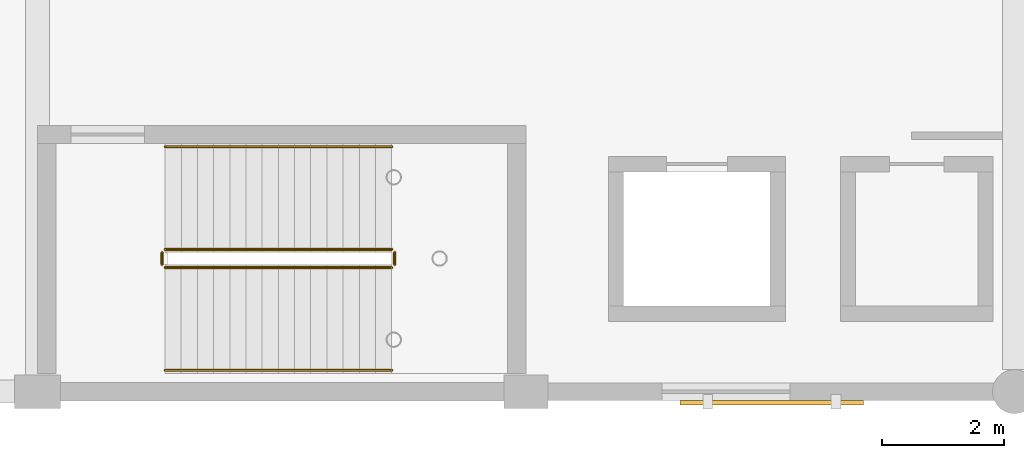
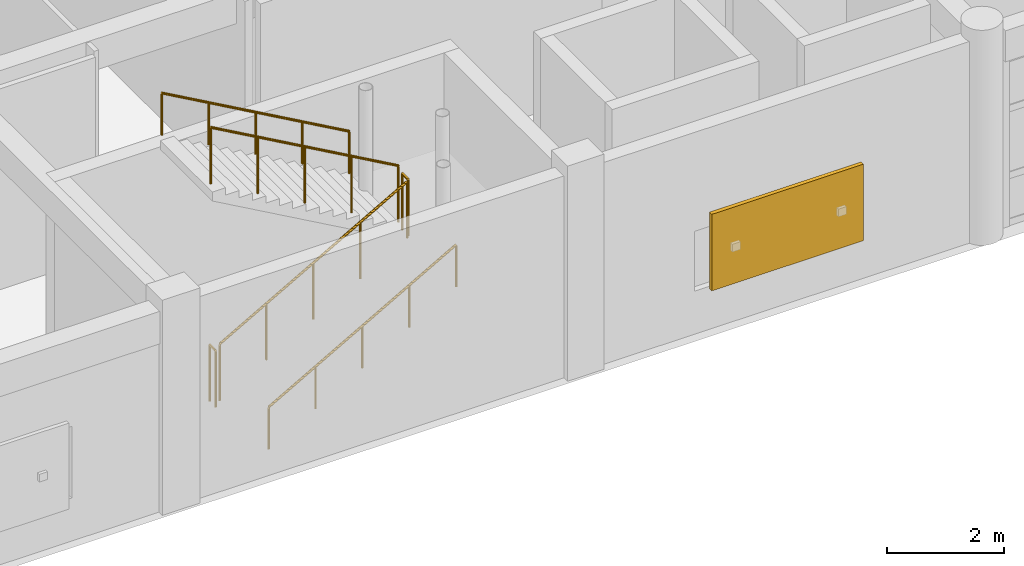
# One storey, part 156 of 160: 6 railings, 1 shading device.
"""IFC4 building model written with IfcOpenShell, lengths in metres."""

import ifcopenshell
import ifcopenshell.guid

model = None  # the IFC model being written
_history = None  # IfcOwnerHistory: only IFC2X3 demands one
_inside = {}  # id of a spatial element -> (the spatial element, [elements in it])
_under = {}  # id of a project, library or spatial element -> (it, [spatial elements below it])
_declared = {}  # id of a project -> (the project, [libraries it declares])
_typed = {}  # id of a type object -> (the type object, [elements of that type])
_made_of = {}  # id of a material, layer set ... -> (it, [elements and type objects made of it])


def new_model(schema):
    """Start an empty IFC model of exactly this schema.

    Asked for "IFC4X3", IfcOpenShell would pick the latest addendum, in which some entities
    have other attributes; the version numbers below select the first issue.
    IFC2X3 requires an IfcOwnerHistory on every rooted entity: one is made here for all.
    """
    global model, _history
    if schema == "IFC4X3":
        model = ifcopenshell.file(schema_version=(4, 3, 0, 0))
    else:
        model = ifcopenshell.file(schema=schema)
    _inside.clear()
    _under.clear()
    _declared.clear()
    _typed.clear()
    _made_of.clear()
    _history = None
    if model.schema == "IFC2X3":
        org = make("IfcOrganization", Name="unknown")
        user = make(
            "IfcPersonAndOrganization",
            ThePerson=make("IfcPerson", FamilyName="unknown"),
            TheOrganization=org,
        )
        app = make(
            "IfcApplication",
            ApplicationDeveloper=org,
            Version="unknown",
            ApplicationFullName="unknown",
            ApplicationIdentifier="unknown",
        )
        _history = make(
            "IfcOwnerHistory",
            OwningUser=user,
            OwningApplication=app,
            ChangeAction="ADDED",
            CreationDate=0,
        )
    return model


def make(cls, **values):
    """One entity of the class cls with the attributes given. An attribute that is None is left unset."""
    return model.create_entity(
        cls, **{name: value for name, value in values.items() if value is not None}
    )


def rooted(cls, **values):
    """An entity with a GlobalId (a new one), such as an element, a storey or a relation."""
    return make(cls, GlobalId=ifcopenshell.guid.new(), OwnerHistory=_history, **values)


def si_unit(unit_type, name, prefix=None):
    """IfcSIUnit, for example si_unit("LENGTHUNIT", "METRE", prefix="MILLI")."""
    return make("IfcSIUnit", UnitType=unit_type, Prefix=prefix, Name=name)


def assignment(units):
    """IfcUnitAssignment: the units of a project."""
    return None if units is None else make("IfcUnitAssignment", Units=units)


def point(xyz):
    """IfcCartesianPoint."""
    return None if xyz is None else make("IfcCartesianPoint", Coordinates=xyz)


def direction(xyz):
    """IfcDirection."""
    return None if xyz is None else make("IfcDirection", DirectionRatios=xyz)


def frame(location, z_axis=None, x_axis=None):
    """IfcAxis2Placement3D, a coordinate frame: its origin and axes. An axis left out is left unset."""
    return make(
        "IfcAxis2Placement3D",
        Location=point(location),
        Axis=direction(z_axis),
        RefDirection=direction(x_axis),
    )


def frame_2d(location, x_axis=None):
    """IfcAxis2Placement2D, a coordinate frame in the plane: its origin and x axis."""
    return make(
        "IfcAxis2Placement2D", Location=point(location), RefDirection=direction(x_axis)
    )


def origin():
    """The frame at (0, 0, 0) with its axes left unset."""
    return frame((0.0, 0.0, 0.0))


def origin_2d():
    """The frame at (0, 0) in the plane with its x axis left unset."""
    return frame_2d((0.0, 0.0))


def place(relative_to, where):
    """IfcLocalPlacement: puts the frame where relative to a parent placement (None: the world)."""
    return make(
        "IfcLocalPlacement", PlacementRelTo=relative_to, RelativePlacement=where
    )


def context(
    kind, dimensions, precision=None, world=None, true_north=None, identifier=None
):
    """IfcGeometricRepresentationContext, for example the 3D "Model" context."""
    return make(
        "IfcGeometricRepresentationContext",
        ContextIdentifier=identifier,
        ContextType=kind,
        CoordinateSpaceDimension=dimensions,
        Precision=precision,
        WorldCoordinateSystem=world,
        TrueNorth=true_north,
    )


def subcontext(parent, identifier, kind, view, scale=None):
    """IfcGeometricRepresentationSubContext, for example "Body" below "Model"."""
    return make(
        "IfcGeometricRepresentationSubContext",
        ContextIdentifier=identifier,
        ContextType=kind,
        ParentContext=parent,
        TargetScale=scale,
        TargetView=view,
    )


def project(units=None, contexts=None):
    """IfcProject with its units and contexts."""
    return rooted(
        "IfcProject",
        Name="project",
        RepresentationContexts=contexts,
        UnitsInContext=assignment(units),
    )


def spatial(cls, under=None, at=None, **own):
    """A site, building, storey or space (cls), placed at a placement, below another one or the project."""
    s = rooted(cls, ObjectPlacement=at, **own)
    if under is not None:
        _under.setdefault(under.id(), (under, []))[1].append(s)
    return s


def profile(cls, at=None, kind="AREA", **sizes):
    """A parametric profile (cls). Its sizes go by their IFC names, for example OverallWidth=200.0."""
    return make(cls, ProfileType=kind, Position=at, **sizes)


def rectangle(**sizes):
    """IfcRectangleProfileDef."""
    return profile("IfcRectangleProfileDef", **sizes)


def circle(**sizes):
    """IfcCircleProfileDef."""
    return profile("IfcCircleProfileDef", **sizes)


def extrude(swept, where, along, depth):
    """IfcExtrudedAreaSolid: the profile swept, set in the frame where, extruded along a direction by depth."""
    return make(
        "IfcExtrudedAreaSolid",
        SweptArea=swept,
        Position=where,
        ExtrudedDirection=direction(along),
        Depth=depth,
    )


def shape(context_of_items, identifier, shape_type, items):
    """IfcShapeRepresentation: the items that make up one representation, for example the "Body"."""
    return make(
        "IfcShapeRepresentation",
        ContextOfItems=context_of_items,
        RepresentationIdentifier=identifier,
        RepresentationType=shape_type,
        Items=items,
    )


def material(Name=None, Category=None):
    """IfcMaterial."""
    return make("IfcMaterial", Name=Name, Category=Category)


def made_of(thing, what):
    """Note that an element or type object is made of a material, layer set ...; save() writes the relation."""
    if what is not None:
        _made_of.setdefault(what.id(), (what, []))[1].append(thing)
    return thing


def type_object(cls, material=None, **own):
    """A type object (cls), such as IfcWallType, which elements share."""
    return made_of(rooted(cls, **own), material)


def element(
    cls,
    number,
    at=None,
    inside=None,
    cuts=None,
    type_object=None,
    material=None,
    context=None,
    identifier="Body",
    shape_type=None,
    held_by="IfcProductDefinitionShape",
    body=None,
    shapes=None,
    **own,
):
    """One element of the class cls, such as IfcWall. Its Tag is "e" and its number.

    at: its placement. inside: the storey or other place that contains it. cuts: it is an
    opening in that element (IfcRelVoidsElement). A single representation is given by context,
    identifier, shape_type and body (its items); several are given by shapes. held_by: the class
    of the entity that holds the representations. save() writes the other relations.
    """
    e = rooted(cls, Tag="e%d" % number, ObjectPlacement=at, **own)
    if body is not None:
        shapes = [shape(context, identifier, shape_type, body)]
    if shapes is not None:
        e.Representation = make(held_by, Representations=shapes)
    if inside is not None:
        _inside.setdefault(inside.id(), (inside, []))[1].append(e)
    if cuts is not None:
        rooted(
            "IfcRelVoidsElement", RelatingBuildingElement=cuts, RelatedOpeningElement=e
        )
    if type_object is not None:
        _typed.setdefault(type_object.id(), (type_object, []))[1].append(e)
    return made_of(e, material)


def aggregate(whole, parts):
    """IfcRelAggregates: a whole, such as a stair, and the parts it consists of."""
    return rooted("IfcRelAggregates", RelatingObject=whole, RelatedObjects=parts)


def save(model, path):
    """Write the relations noted so far, then the file.

    IfcRelAggregates (storeys below a building ...), IfcRelContainedInSpatialStructure (elements
    in a storey), IfcRelDefinesByType, IfcRelAssociatesMaterial and IfcRelDeclares: one each for
    every whole, place, type object, material and project.
    """
    for whole, parts in _under.values():
        aggregate(whole, parts)
    for where, things in _inside.values():
        rooted(
            "IfcRelContainedInSpatialStructure",
            RelatedElements=things,
            RelatingStructure=where,
        )
    for kind, things in _typed.values():
        rooted("IfcRelDefinesByType", RelatedObjects=things, RelatingType=kind)
    for what, things in _made_of.values():
        rooted("IfcRelAssociatesMaterial", RelatedObjects=things, RelatingMaterial=what)
    for by, libraries in _declared.values():
        rooted("IfcRelDeclares", RelatingContext=by, RelatedDefinitions=libraries)
    model.write(path)


model = new_model("IFC4")

# Units and contexts
model_context = context("Model", 3, precision=1e-05, world=origin(), true_north=direction((0.0, 1.0)))
body_context = subcontext(model_context, "Body", "Model", "MODEL_VIEW")
ifc_project = project(units=[si_unit("LENGTHUNIT", "METRE"), si_unit("AREAUNIT", "SQUARE_METRE"), si_unit("VOLUMEUNIT", "CUBIC_METRE"), si_unit("PLANEANGLEUNIT", "RADIAN"), si_unit("MASSUNIT", "GRAM", prefix="KILO")], contexts=[model_context])

# Site, building, storey
site_placement = place(None, origin())
site = spatial("IfcSite", under=ifc_project, at=site_placement, CompositionType="ELEMENT")
building_placement = place(site_placement, origin())
building = spatial("IfcBuilding", under=site, at=building_placement, Name="Kharva Crest Polytechnic", CompositionType="ELEMENT")
storey_placement = place(building_placement, frame((0.0, 0.0, 4.5)))
storey = spatial("IfcBuildingStorey", under=building, at=storey_placement, Name="L01", CompositionType="ELEMENT", Elevation=4.5)

# Railings
ifc_material_1 = material(Name="Anodised aluminium", Category="aluminium")
railing_type_1 = type_object("IfcRailingType", Name="RL-STAIR-GUARD-1200", PredefinedType="GUARDRAIL", material=ifc_material_1)
railing_1_placement = place(storey_placement, frame((130.889892578125, 2.030029296875, 0.14990234375)))
element("IfcRailing", 1, at=railing_1_placement, inside=storey, type_object=railing_type_1, Name="L01 ST-06 stair guard 1", PredefinedType="GUARDRAIL", context=body_context, shape_type="SweptSolid", body=[
    extrude(circle(Radius=0.02392578125, at=origin_2d()), frame((0.0, 0.0, 1.17578125), z_axis=(0.870258707807, 0.0, 0.492594946671), x_axis=(0.0, 1.0, 0.0)), (0.0, 0.0, 1.0), 4.263427734375),
    extrude(circle(Radius=0.02099609375, at=origin_2d()), origin(), (0.0, 0.0, 1.0), 1.15185546875),
    extrude(circle(Radius=0.02099609375, at=origin_2d()), frame((0.927490234375, 0.0, 0.52490234375)), (0.0, 0.0, 1.0), 1.15185546875),
    extrude(circle(Radius=0.02099609375, at=origin_2d()), frame((1.85498046875, 0.0, 1.050048828125)), (0.0, 0.0, 1.0), 1.15185546875),
    extrude(circle(Radius=0.02099609375, at=origin_2d()), frame((2.78271484375, 0.0, 1.5751953125)), (0.0, 0.0, 1.0), 1.15185546875),
    extrude(circle(Radius=0.02099609375, at=origin_2d()), frame((3.710205078125, 0.0, 2.10009765625)), (0.0, 0.0, 1.0), 1.15185546875),
])
railing_2_placement = place(storey_placement, frame((134.64990234375, 2.080078125, 2.25)))
element("IfcRailing", 2, at=railing_2_placement, inside=storey, type_object=railing_type_1, Name="L01 ST-06 stair guard 2", PredefinedType="GUARDRAIL", context=body_context, shape_type="SweptSolid", body=[
    extrude(circle(Radius=0.02392578125, at=origin_2d()), frame((0.0, 0.0, 1.17578125), z_axis=(0.0, 1.0, 0.0), x_axis=(-1.0, 0.0, 0.0)), (0.0, 0.0, 1.0), 0.199951171875),
    extrude(circle(Radius=0.02099609375, at=origin_2d()), origin(), (0.0, 0.0, 1.0), 1.15185546875),
    extrude(circle(Radius=0.02099609375, at=origin_2d()), frame((0.0, 0.199951171875, 0.0)), (0.0, 0.0, 1.0), 1.15185546875),
])
railing_3_placement = place(storey_placement, frame((134.60009765625, 2.330078125, 2.39990234375)))
element("IfcRailing", 3, at=railing_3_placement, inside=storey, type_object=railing_type_1, Name="L01 ST-06 stair guard 3", PredefinedType="GUARDRAIL", context=body_context, shape_type="SweptSolid", body=[
    extrude(circle(Radius=0.02392578125, at=origin_2d()), frame((0.0, 0.0, 1.17578125), z_axis=(-0.870258707807, 0.0, 0.492594946671), x_axis=(0.0, -1.0, 0.0)), (0.0, 0.0, 1.0), 4.263427734375),
    extrude(circle(Radius=0.02099609375, at=origin_2d()), origin(), (0.0, 0.0, 1.0), 1.15185546875),
    extrude(circle(Radius=0.02099609375, at=origin_2d()), frame((-0.927490234375, 0.0, 0.52490234375)), (0.0, 0.0, 1.0), 1.15185546875),
    extrude(circle(Radius=0.02099609375, at=origin_2d()), frame((-1.85498046875, 0.0, 1.050048828125)), (0.0, 0.0, 1.0), 1.15185546875),
    extrude(circle(Radius=0.02099609375, at=origin_2d()), frame((-2.78271484375, 0.0, 1.5751953125)), (0.0, 0.0, 1.0), 1.15185546875),
    extrude(circle(Radius=0.02099609375, at=origin_2d()), frame((-3.710205078125, 0.0, 2.10009765625)), (0.0, 0.0, 1.0), 1.15185546875),
])
railing_4_placement = place(storey_placement, frame((130.840087890625, 2.080078125, 0.0)))
element("IfcRailing", 4, at=railing_4_placement, inside=storey, type_object=railing_type_1, Name="L01 ST-06 stair guard 4", PredefinedType="GUARDRAIL", context=body_context, shape_type="SweptSolid", body=[
    extrude(circle(Radius=0.02392578125, at=origin_2d()), frame((0.0, 0.0, 1.17578125), z_axis=(0.0, 1.0, 0.0), x_axis=(-1.0, 0.0, 0.0)), (0.0, 0.0, 1.0), 0.199951171875),
    extrude(circle(Radius=0.02099609375, at=origin_2d()), origin(), (0.0, 0.0, 1.0), 1.15185546875),
    extrude(circle(Radius=0.02099609375, at=origin_2d()), frame((0.0, 0.199951171875, 0.0)), (0.0, 0.0, 1.0), 1.15185546875),
])
ifc_material_2 = material(Name="Teak timber", Category="wood")
railing_type_2 = type_object("IfcRailingType", Name="RL-STAIR-HAND-900", PredefinedType="HANDRAIL", material=ifc_material_2)
railing_5_placement = place(storey_placement, frame((130.889892578125, 0.35009765625, 0.14990234375)))
element("IfcRailing", 5, at=railing_5_placement, inside=storey, type_object=railing_type_2, Name="L01 ST-06 stair handrail 1", PredefinedType="HANDRAIL", context=body_context, shape_type="SweptSolid", body=[
    extrude(circle(Radius=0.02392578125, at=origin_2d()), frame((0.0, 0.0, 0.8759765625), z_axis=(0.870258707807, 0.0, 0.492594946671), x_axis=(0.0, 1.0, 0.0)), (0.0, 0.0, 1.0), 4.263427734375),
    extrude(circle(Radius=0.02099609375, at=origin_2d()), origin(), (0.0, 0.0, 1.0), 0.851806640625),
    extrude(circle(Radius=0.02099609375, at=origin_2d()), frame((0.927490234375, 0.0, 0.52490234375)), (0.0, 0.0, 1.0), 0.851806640625),
    extrude(circle(Radius=0.02099609375, at=origin_2d()), frame((1.85498046875, 0.0, 1.050048828125)), (0.0, 0.0, 1.0), 0.851806640625),
    extrude(circle(Radius=0.02099609375, at=origin_2d()), frame((2.78271484375, 0.0, 1.5751953125)), (0.0, 0.0, 1.0), 0.851806640625),
    extrude(circle(Radius=0.02099609375, at=origin_2d()), frame((3.710205078125, 0.0, 2.10009765625)), (0.0, 0.0, 1.0), 0.851806640625),
])
railing_6_placement = place(storey_placement, frame((134.60009765625, 4.010009765625, 2.39990234375)))
element("IfcRailing", 6, at=railing_6_placement, inside=storey, type_object=railing_type_2, Name="L01 ST-06 stair handrail 2", PredefinedType="HANDRAIL", context=body_context, shape_type="SweptSolid", body=[
    extrude(circle(Radius=0.02392578125, at=origin_2d()), frame((0.0, 0.0, 0.8759765625), z_axis=(-0.870258707807, 0.0, 0.492594946671), x_axis=(0.0, -1.0, 0.0)), (0.0, 0.0, 1.0), 4.263427734375),
    extrude(circle(Radius=0.02099609375, at=origin_2d()), origin(), (0.0, 0.0, 1.0), 0.851806640625),
    extrude(circle(Radius=0.02099609375, at=origin_2d()), frame((-0.927490234375, 0.0, 0.52490234375)), (0.0, 0.0, 1.0), 0.851806640625),
    extrude(circle(Radius=0.02099609375, at=origin_2d()), frame((-1.85498046875, 0.0, 1.050048828125)), (0.0, 0.0, 1.0), 0.851806640625),
    extrude(circle(Radius=0.02099609375, at=origin_2d()), frame((-2.78271484375, 0.0, 1.5751953125)), (0.0, 0.0, 1.0), 0.851806640625),
    extrude(circle(Radius=0.02099609375, at=origin_2d()), frame((-3.710205078125, 0.0, 2.10009765625)), (0.0, 0.0, 1.0), 0.851806640625),
])

# Shading device
ifc_material_3 = material(Name="Perforated terracotta", Category="masonry")
shading_device_type = type_object("IfcShadingDeviceType", Name="SHD-JAALI-3000X1600", PredefinedType="USERDEFINED", material=ifc_material_3)
shading_device_placement = place(storey_placement, frame((140.826416015625, -0.18310546875, 0.849853515625), z_axis=(0.0, 0.0, 1.0), x_axis=(1.0, 0.0, 0.0)))
element("IfcShadingDevice", 7, at=shading_device_placement, inside=storey, type_object=shading_device_type, Name="L01 Terracotta Jaali Solar Screen 34", ObjectType="LOUVRE", PredefinedType="USERDEFINED", context=body_context, shape_type="SweptSolid", body=[
    extrude(rectangle(XDim=3.0, YDim=0.080078125, at=origin_2d()), origin(), (0.0, 0.0, 1.0), 1.60009765625),
])

save(model, "model.ifc")
